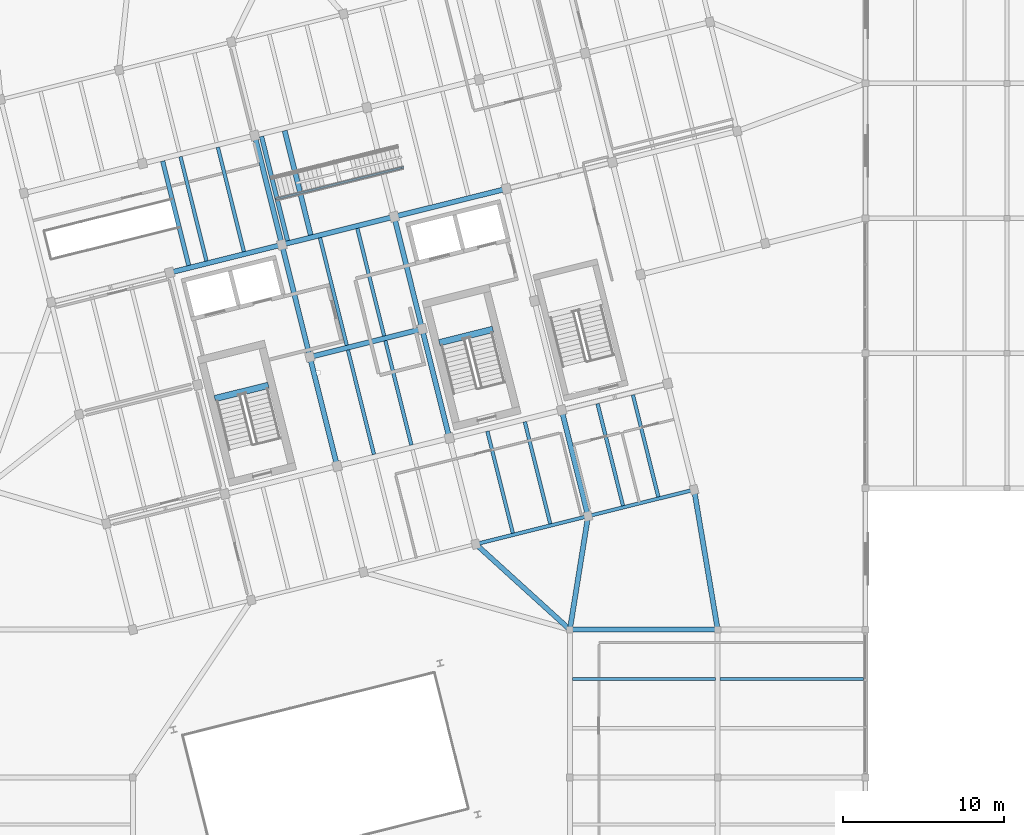
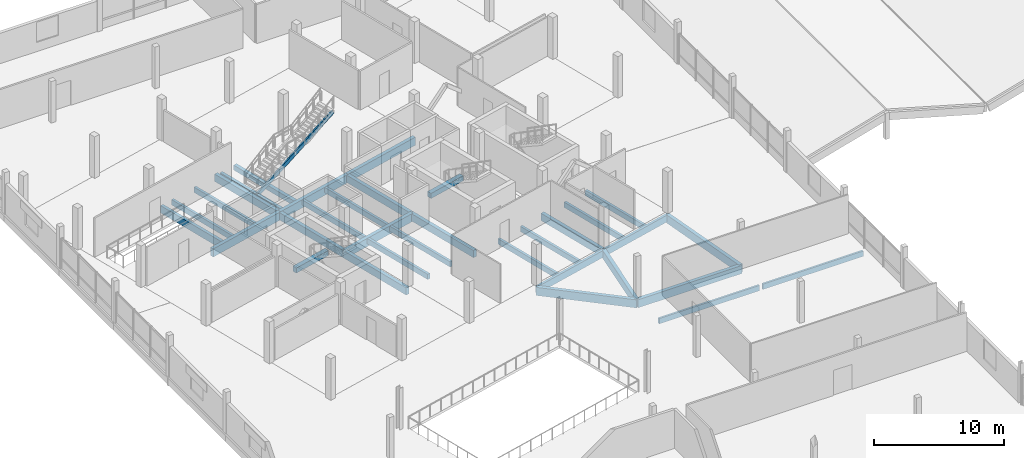
# One storey, part 22 of 47: 33 beams, 1 member.
"""IFC4 building model written with IfcOpenShell, lengths in metres."""

import ifcopenshell
import ifcopenshell.guid

model = None  # the IFC model being written
_history = None  # IfcOwnerHistory: only IFC2X3 demands one
_inside = {}  # id of a spatial element -> (the spatial element, [elements in it])
_under = {}  # id of a project, library or spatial element -> (it, [spatial elements below it])
_declared = {}  # id of a project -> (the project, [libraries it declares])
_typed = {}  # id of a type object -> (the type object, [elements of that type])
_made_of = {}  # id of a material, layer set ... -> (it, [elements and type objects made of it])


def new_model(schema):
    """Start an empty IFC model of exactly this schema.

    Asked for "IFC4X3", IfcOpenShell would pick the latest addendum, in which some entities
    have other attributes; the version numbers below select the first issue.
    IFC2X3 requires an IfcOwnerHistory on every rooted entity: one is made here for all.
    """
    global model, _history
    if schema == "IFC4X3":
        model = ifcopenshell.file(schema_version=(4, 3, 0, 0))
    else:
        model = ifcopenshell.file(schema=schema)
    _inside.clear()
    _under.clear()
    _declared.clear()
    _typed.clear()
    _made_of.clear()
    _history = None
    if model.schema == "IFC2X3":
        org = make("IfcOrganization", Name="unknown")
        user = make(
            "IfcPersonAndOrganization",
            ThePerson=make("IfcPerson", FamilyName="unknown"),
            TheOrganization=org,
        )
        app = make(
            "IfcApplication",
            ApplicationDeveloper=org,
            Version="unknown",
            ApplicationFullName="unknown",
            ApplicationIdentifier="unknown",
        )
        _history = make(
            "IfcOwnerHistory",
            OwningUser=user,
            OwningApplication=app,
            ChangeAction="ADDED",
            CreationDate=0,
        )
    return model


def make(cls, **values):
    """One entity of the class cls with the attributes given. An attribute that is None is left unset."""
    return model.create_entity(
        cls, **{name: value for name, value in values.items() if value is not None}
    )


def rooted(cls, **values):
    """An entity with a GlobalId (a new one), such as an element, a storey or a relation."""
    return make(cls, GlobalId=ifcopenshell.guid.new(), OwnerHistory=_history, **values)


def si_unit(unit_type, name, prefix=None):
    """IfcSIUnit, for example si_unit("LENGTHUNIT", "METRE", prefix="MILLI")."""
    return make("IfcSIUnit", UnitType=unit_type, Prefix=prefix, Name=name)


def assignment(units):
    """IfcUnitAssignment: the units of a project."""
    return None if units is None else make("IfcUnitAssignment", Units=units)


def point(xyz):
    """IfcCartesianPoint."""
    return None if xyz is None else make("IfcCartesianPoint", Coordinates=xyz)


def direction(xyz):
    """IfcDirection."""
    return None if xyz is None else make("IfcDirection", DirectionRatios=xyz)


def frame(location, z_axis=None, x_axis=None):
    """IfcAxis2Placement3D, a coordinate frame: its origin and axes. An axis left out is left unset."""
    return make(
        "IfcAxis2Placement3D",
        Location=point(location),
        Axis=direction(z_axis),
        RefDirection=direction(x_axis),
    )


def frame_2d(location, x_axis=None):
    """IfcAxis2Placement2D, a coordinate frame in the plane: its origin and x axis."""
    return make(
        "IfcAxis2Placement2D", Location=point(location), RefDirection=direction(x_axis)
    )


def origin():
    """The frame at (0, 0, 0) with its axes left unset."""
    return frame((0.0, 0.0, 0.0))


def origin_2d():
    """The frame at (0, 0) in the plane with its x axis left unset."""
    return frame_2d((0.0, 0.0))


def place(relative_to, where):
    """IfcLocalPlacement: puts the frame where relative to a parent placement (None: the world)."""
    return make(
        "IfcLocalPlacement", PlacementRelTo=relative_to, RelativePlacement=where
    )


def context(
    kind, dimensions, precision=None, world=None, true_north=None, identifier=None
):
    """IfcGeometricRepresentationContext, for example the 3D "Model" context."""
    return make(
        "IfcGeometricRepresentationContext",
        ContextIdentifier=identifier,
        ContextType=kind,
        CoordinateSpaceDimension=dimensions,
        Precision=precision,
        WorldCoordinateSystem=world,
        TrueNorth=true_north,
    )


def subcontext(parent, identifier, kind, view, scale=None):
    """IfcGeometricRepresentationSubContext, for example "Body" below "Model"."""
    return make(
        "IfcGeometricRepresentationSubContext",
        ContextIdentifier=identifier,
        ContextType=kind,
        ParentContext=parent,
        TargetScale=scale,
        TargetView=view,
    )


def project(units=None, contexts=None):
    """IfcProject with its units and contexts."""
    return rooted(
        "IfcProject",
        Name="project",
        RepresentationContexts=contexts,
        UnitsInContext=assignment(units),
    )


def spatial(cls, under=None, at=None, **own):
    """A site, building, storey or space (cls), placed at a placement, below another one or the project."""
    s = rooted(cls, ObjectPlacement=at, **own)
    if under is not None:
        _under.setdefault(under.id(), (under, []))[1].append(s)
    return s


def profile(cls, at=None, kind="AREA", **sizes):
    """A parametric profile (cls). Its sizes go by their IFC names, for example OverallWidth=200.0."""
    return make(cls, ProfileType=kind, Position=at, **sizes)


def rectangle(**sizes):
    """IfcRectangleProfileDef."""
    return profile("IfcRectangleProfileDef", **sizes)


def extrude(swept, where, along, depth):
    """IfcExtrudedAreaSolid: the profile swept, set in the frame where, extruded along a direction by depth."""
    return make(
        "IfcExtrudedAreaSolid",
        SweptArea=swept,
        Position=where,
        ExtrudedDirection=direction(along),
        Depth=depth,
    )


def shape(context_of_items, identifier, shape_type, items):
    """IfcShapeRepresentation: the items that make up one representation, for example the "Body"."""
    return make(
        "IfcShapeRepresentation",
        ContextOfItems=context_of_items,
        RepresentationIdentifier=identifier,
        RepresentationType=shape_type,
        Items=items,
    )


def material(Name=None, Category=None):
    """IfcMaterial."""
    return make("IfcMaterial", Name=Name, Category=Category)


def material_profile(
    of_material, cross_section, Name=None, Category=None, Priority=None
):
    """IfcMaterialProfile: a cross section and its material."""
    return make(
        "IfcMaterialProfile",
        Name=Name,
        Material=of_material,
        Profile=cross_section,
        Priority=Priority,
        Category=Category,
    )


def profile_set(profiles, Name=None, composite=None):
    """IfcMaterialProfileSet."""
    return make(
        "IfcMaterialProfileSet",
        Name=Name,
        MaterialProfiles=profiles,
        CompositeProfile=composite,
    )


def made_of(thing, what):
    """Note that an element or type object is made of a material, layer set ...; save() writes the relation."""
    if what is not None:
        _made_of.setdefault(what.id(), (what, []))[1].append(thing)
    return thing


def type_object(cls, material=None, **own):
    """A type object (cls), such as IfcWallType, which elements share."""
    return made_of(rooted(cls, **own), material)


def element(
    cls,
    number,
    at=None,
    inside=None,
    cuts=None,
    type_object=None,
    material=None,
    context=None,
    identifier="Body",
    shape_type=None,
    held_by="IfcProductDefinitionShape",
    body=None,
    shapes=None,
    **own,
):
    """One element of the class cls, such as IfcWall. Its Tag is "e" and its number.

    at: its placement. inside: the storey or other place that contains it. cuts: it is an
    opening in that element (IfcRelVoidsElement). A single representation is given by context,
    identifier, shape_type and body (its items); several are given by shapes. held_by: the class
    of the entity that holds the representations. save() writes the other relations.
    """
    e = rooted(cls, Tag="e%d" % number, ObjectPlacement=at, **own)
    if body is not None:
        shapes = [shape(context, identifier, shape_type, body)]
    if shapes is not None:
        e.Representation = make(held_by, Representations=shapes)
    if inside is not None:
        _inside.setdefault(inside.id(), (inside, []))[1].append(e)
    if cuts is not None:
        rooted(
            "IfcRelVoidsElement", RelatingBuildingElement=cuts, RelatedOpeningElement=e
        )
    if type_object is not None:
        _typed.setdefault(type_object.id(), (type_object, []))[1].append(e)
    return made_of(e, material)


def aggregate(whole, parts):
    """IfcRelAggregates: a whole, such as a stair, and the parts it consists of."""
    return rooted("IfcRelAggregates", RelatingObject=whole, RelatedObjects=parts)


def save(model, path):
    """Write the relations noted so far, then the file.

    IfcRelAggregates (storeys below a building ...), IfcRelContainedInSpatialStructure (elements
    in a storey), IfcRelDefinesByType, IfcRelAssociatesMaterial and IfcRelDeclares: one each for
    every whole, place, type object, material and project.
    """
    for whole, parts in _under.values():
        aggregate(whole, parts)
    for where, things in _inside.values():
        rooted(
            "IfcRelContainedInSpatialStructure",
            RelatedElements=things,
            RelatingStructure=where,
        )
    for kind, things in _typed.values():
        rooted("IfcRelDefinesByType", RelatedObjects=things, RelatingType=kind)
    for what, things in _made_of.values():
        rooted("IfcRelAssociatesMaterial", RelatedObjects=things, RelatingMaterial=what)
    for by, libraries in _declared.values():
        rooted("IfcRelDeclares", RelatingContext=by, RelatedDefinitions=libraries)
    model.write(path)


model = new_model("IFC4")

# Units and contexts
model_context = context("Model", 3, precision=1e-05, world=origin(), true_north=direction((0.0, 1.0)))
body_context = subcontext(model_context, "Body", "Model", "MODEL_VIEW")
ifc_project = project(units=[si_unit("LENGTHUNIT", "METRE"), si_unit("AREAUNIT", "SQUARE_METRE"), si_unit("VOLUMEUNIT", "CUBIC_METRE"), si_unit("PLANEANGLEUNIT", "RADIAN"), si_unit("MASSUNIT", "GRAM", prefix="KILO")], contexts=[model_context])

# Site, building, storey
site_placement = place(None, origin())
site = spatial("IfcSite", under=ifc_project, at=site_placement, CompositionType="ELEMENT")
building_placement = place(site_placement, origin())
building = spatial("IfcBuilding", under=site, at=building_placement, Name="Meriwether Solvik Hall", CompositionType="ELEMENT")
storey_placement = place(building_placement, frame((0.0, 0.0, 18.300048828125)))
storey = spatial("IfcBuildingStorey", under=building, at=storey_placement, Name="L04", CompositionType="ELEMENT", Elevation=18.300048828125)

# Beams
ifc_material_1 = material(Name="Glulam Douglas-Fir 24F-V8 GL28h", Category="wood")
ifc_material_profile_1 = material_profile(ifc_material_1, rectangle(XDim=0.221923828125, YDim=0.64501953125, at=origin_2d()), Name="GLB-222X645")
ifc_profile_set_1 = profile_set([ifc_material_profile_1], Name="Glulam Douglas-Fir 24F-V8 GL28h")
beam_type_1 = type_object("IfcBeamType", Name="BM-GL-222X645", PredefinedType="SPANDREL", material=ifc_profile_set_1)
beam_1_placement = place(storey_placement, frame((89.946533203125, 46.522216796875, -0.567626953125), z_axis=(0.970291911955, 0.241937193493, 0.0), x_axis=(-0.241937193493, 0.970291911955, 0.0)))
element("IfcBeam", 1, at=beam_1_placement, inside=storey, type_object=beam_type_1, Name="Tower Girder TA:T4-T5 (L04)", PredefinedType="SPANDREL", context=body_context, shape_type="SweptSolid", body=[
    extrude(rectangle(XDim=0.221923828125, YDim=0.64501953125, at=origin_2d()), origin(), (0.0, 0.0, 1.0), 7.199951171875),
])
beam_2_placement = place(storey_placement, frame((96.9326171875, 48.26416015625, -0.567626953125), z_axis=(0.970298579828, 0.24191045034, 0.0), x_axis=(-0.24191045034, 0.970298579828, 0.0)))
element("IfcBeam", 2, at=beam_2_placement, inside=storey, type_object=beam_type_1, Name="Tower Girder TA:T5-T6 (L04)", PredefinedType="SPANDREL", context=body_context, shape_type="SweptSolid", body=[
    extrude(rectangle(XDim=0.221923828125, YDim=0.64501953125, at=origin_2d()), origin(), (0.0, 0.0, 1.0), 6.800048828125),
])
ifc_material_2 = material(Name="Glulam Douglas-Fir 24F-V8 GL28h", Category="wood")
ifc_material_profile_2 = material_profile(ifc_material_2, rectangle(XDim=0.27294921875, YDim=0.68505859375, at=origin_2d()), Name="GLB-273X685")
ifc_profile_set_2 = profile_set([ifc_material_profile_2], Name="Glulam Douglas-Fir 24F-V8 GL28h")
beam_type_2 = type_object("IfcBeamType", Name="BM-GL-273X685", PredefinedType="BEAM", material=ifc_profile_set_2)
for number, where, z_axis, x_axis, name in (
    (3, (72.078857421875, 63.8701171875, -0.587646484375), (-0.241917328066, 0.970296865079, 0.0), (-0.970296865079, -0.241917328066, 0.0), "Stair ST-ED1 Top Trimmer Beam"),
    (4, (78.230712890625, 65.40380859375, -0.587646484375), (-0.241951685637, 0.9702882983, 0.0), (-0.9702882983, -0.241951685637, 0.0), "Stair ST-ED2 Bottom Trimmer Beam"),
):
    element("IfcBeam", number, at=place(storey_placement, frame(where, z_axis=z_axis, x_axis=x_axis)), inside=storey, type_object=beam_type_2, Name=name, PredefinedType="BEAM", context=body_context, shape_type="SweptSolid", body=[
        extrude(rectangle(XDim=0.27294921875, YDim=0.68505859375, at=origin_2d()), origin(), (0.0, 0.0, 1.0), 6.68994140625),
    ])
ifc_material_3 = material(Name="Glulam Douglas-Fir 24F-V8 GL28h", Category="wood")
ifc_material_profile_3 = material_profile(ifc_material_3, rectangle(XDim=0.31494140625, YDim=0.68505859375, at=origin_2d()), Name="GLB-315X685")
ifc_profile_set_3 = profile_set([ifc_material_profile_3], Name="Glulam Douglas-Fir 24F-V8 GL28h")
beam_type_3 = type_object("IfcBeamType", Name="BM-GL-315X685", PredefinedType="BEAM", material=ifc_profile_set_3)
beam_3_placement = place(storey_placement, frame((81.3154296875, 51.37841796875, -0.587646484375), z_axis=(-0.241944715397, 0.970290036376, 0.0), x_axis=(-0.970290036376, -0.241944715397, 0.0)))
element("IfcBeam", 5, at=beam_3_placement, inside=storey, type_object=beam_type_3, Name="Tower Girder T3:TB-TC (L04)", PredefinedType="BEAM", context=body_context, shape_type="SweptSolid", body=[
    extrude(rectangle(XDim=0.31494140625, YDim=0.68505859375, at=origin_2d()), origin(), (0.0, 0.0, 1.0), 7.0),
])
beam_4_placement = place(storey_placement, frame((79.621826171875, 58.17041015625, -0.587646484375), z_axis=(-0.241897310542, 0.970301855688, 0.0), x_axis=(-0.970301855688, -0.241897310542, 0.0)))
element("IfcBeam", 6, at=beam_4_placement, inside=storey, type_object=beam_type_3, Name="Tower Girder T3:TC-TD (L04)", PredefinedType="BEAM", context=body_context, shape_type="SweptSolid", body=[
    extrude(rectangle(XDim=0.31494140625, YDim=0.68505859375, at=origin_2d()), origin(), (0.0, 0.0, 1.0), 7.2001953125),
])
for number, where, z_axis, x_axis, name in (
    (7, (77.880126953125, 65.15673828125, -0.587646484375), (-0.241944715397, 0.970290036376, 0.0), (-0.970290036376, -0.241944715397, 0.0), "Tower Girder T3:TD-TE (L04)"),
    (8, (88.301513671875, 53.120361328125, -0.587646484375), (-0.241944715397, 0.970290036376, 0.0), (-0.970290036376, -0.241944715397, 0.0), "Tower Girder T4:TB-TC (L04)"),
):
    element("IfcBeam", number, at=place(storey_placement, frame(where, z_axis=z_axis, x_axis=x_axis)), inside=storey, type_object=beam_type_3, Name=name, PredefinedType="BEAM", context=body_context, shape_type="SweptSolid", body=[
        extrude(rectangle(XDim=0.31494140625, YDim=0.68505859375, at=origin_2d()), origin(), (0.0, 0.0, 1.0), 7.0),
    ])
beam_5_placement = place(storey_placement, frame((86.60791015625, 59.912353515625, -0.587646484375), z_axis=(-0.241905269381, 0.970299871507, 0.0), x_axis=(-0.970299871507, -0.241905269381, 0.0)))
element("IfcBeam", 9, at=beam_5_placement, inside=storey, type_object=beam_type_3, Name="Tower Girder T4:TC-TD (L04)", PredefinedType="BEAM", context=body_context, shape_type="SweptSolid", body=[
    extrude(rectangle(XDim=0.31494140625, YDim=0.68505859375, at=origin_2d()), origin(), (0.0, 0.0, 1.0), 7.199951171875),
])
beam_6_placement = place(storey_placement, frame((96.9326171875, 48.26416015625, -0.587646484375), z_axis=(-0.241918877831, 0.970296478685, 0.0), x_axis=(-0.970296478685, -0.241918877831, 0.0)))
element("IfcBeam", 10, at=beam_6_placement, inside=storey, type_object=beam_type_3, Name="Tower Girder T5:TA-TB (L04)", PredefinedType="BEAM", context=body_context, shape_type="SweptSolid", body=[
    extrude(rectangle(XDim=0.31494140625, YDim=0.68505859375, at=origin_2d()), origin(), (0.0, 0.0, 1.0), 6.7998046875),
])
ifc_material_4 = material(Name="Glulam Douglas-Fir 24F-V8 GL28h", Category="wood")
ifc_material_profile_4 = material_profile(ifc_material_4, rectangle(XDim=0.31494140625, YDim=0.760009765625, at=origin_2d()), Name="GLB-315X760")
ifc_profile_set_4 = profile_set([ifc_material_profile_4], Name="Glulam Douglas-Fir 24F-V8 GL28h")
beam_type_4 = type_object("IfcBeamType", Name="BM-GL-315X760", PredefinedType="BEAM", material=ifc_profile_set_4)
beam_7_placement = place(storey_placement, frame((95.800048828125, 41.199951171875, -0.625), z_axis=(1.0, 0.0, 0.0), x_axis=(0.0, 1.0, 0.0)))
element("IfcBeam", 11, at=beam_7_placement, inside=storey, type_object=beam_type_4, Name="Podium Girder E:11-12 (L04)", PredefinedType="BEAM", context=body_context, shape_type="SweptSolid", body=[
    extrude(rectangle(XDim=0.31494140625, YDim=0.760009765625, at=origin_2d()), origin(), (0.0, 0.0, 1.0), 9.199951171875),
])
beam_8_placement = place(storey_placement, frame((89.946533203125, 46.522216796875, -0.625), z_axis=(0.739884216785, -0.672734231144, 0.0), x_axis=(0.672734231144, 0.739884216785, 0.0)))
element("IfcBeam", 12, at=beam_8_placement, inside=storey, type_object=beam_type_4, Name="Diaphragm Collector Girder T4/TA-11/E (L04)", PredefinedType="BEAM", context=body_context, shape_type="SweptSolid", body=[
    extrude(rectangle(XDim=0.31494140625, YDim=0.760009765625, at=origin_2d()), origin(), (0.0, 0.0, 1.0), 7.911376953125),
])
beam_9_placement = place(storey_placement, frame((96.9326171875, 48.26416015625, -0.625), z_axis=(-0.158303256143, -0.98739054031, 0.0), x_axis=(0.98739054031, -0.158303256143, 0.0)))
element("IfcBeam", 13, at=beam_9_placement, inside=storey, type_object=beam_type_4, Name="Diaphragm Collector Girder T5/TA-11/E (L04)", PredefinedType="BEAM", context=body_context, shape_type="SweptSolid", body=[
    extrude(rectangle(XDim=0.31494140625, YDim=0.760009765625, at=origin_2d()), origin(), (0.0, 0.0, 1.0), 7.154541015625),
])
beam_10_placement = place(storey_placement, frame((103.53076171875, 49.9091796875, -0.625), z_axis=(0.166348535765, -0.986067018335, 0.0), x_axis=(0.986067018335, 0.166348535765, 0.0)))
element("IfcBeam", 14, at=beam_10_placement, inside=storey, type_object=beam_type_4, Name="Diaphragm Collector Girder T6/TA-12/E (L04)", PredefinedType="BEAM", context=body_context, shape_type="SweptSolid", body=[
    extrude(rectangle(XDim=0.31494140625, YDim=0.760009765625, at=origin_2d()), origin(), (0.0, 0.0, 1.0), 8.832275390625),
])
beam_11_placement = place(storey_placement, frame((79.621826171875, 58.17041015625, -0.625), z_axis=(0.970291911955, 0.241937193493, 0.0), x_axis=(-0.241937193493, 0.970291911955, 0.0)))
element("IfcBeam", 15, at=beam_11_placement, inside=storey, type_object=beam_type_4, Name="Tower Girder TC:T3-T4 (L04)", PredefinedType="BEAM", context=body_context, shape_type="SweptSolid", body=[
    extrude(rectangle(XDim=0.31494140625, YDim=0.760009765625, at=origin_2d()), origin(), (0.0, 0.0, 1.0), 7.199951171875),
])
beam_12_placement = place(storey_placement, frame((70.893798828125, 63.414794921875, -0.625), z_axis=(0.970293896644, 0.241929233735, 0.0), x_axis=(-0.241929233735, 0.970293896644, 0.0)))
element("IfcBeam", 16, at=beam_12_placement, inside=storey, type_object=beam_type_4, Name="Tower Girder TD:T2-T3 (L04)", PredefinedType="BEAM", context=body_context, shape_type="SweptSolid", body=[
    extrude(rectangle(XDim=0.31494140625, YDim=0.760009765625, at=origin_2d()), origin(), (0.0, 0.0, 1.0), 7.2001953125),
])
for number, where, z_axis, x_axis, name in (
    (17, (77.880126953125, 65.15673828125, -0.625), (0.970299871507, 0.241905269381, 0.0), (-0.241905269381, 0.970299871507, 0.0), "Tower Girder TD:T3-T4 (L04)"),
    (18, (84.8662109375, 66.8984375, -0.625), (0.970291911955, 0.241937193493, 0.0), (-0.241937193493, 0.970291911955, 0.0), "Tower Girder TD:T4-T5 (L04)"),
):
    element("IfcBeam", number, at=place(storey_placement, frame(where, z_axis=z_axis, x_axis=x_axis)), inside=storey, type_object=beam_type_4, Name=name, PredefinedType="BEAM", context=body_context, shape_type="SweptSolid", body=[
        extrude(rectangle(XDim=0.31494140625, YDim=0.760009765625, at=origin_2d()), origin(), (0.0, 0.0, 1.0), 7.199951171875),
    ])
ifc_material_5 = material(Name="Glulam Douglas-Fir 24F-V8 GL28h", Category="wood")
ifc_material_profile_5 = material_profile(ifc_material_5, rectangle(XDim=0.31494140625, YDim=0.455078125, at=origin_2d()), Name="GLB-315X455")
ifc_profile_set_5 = profile_set([ifc_material_profile_5], Name="Glulam Douglas-Fir 24F-V8 GL28h")
beam_type_5 = type_object("IfcBeamType", Name="BM-LND-GL-315X455", PredefinedType="BEAM", material=ifc_profile_set_5)
beam_13_placement = place(storey_placement, frame((79.669677734375, 65.7626953125, -0.47265625), z_axis=(-0.241917328066, 0.970296865079, 0.0), x_axis=(-0.970296865079, -0.241917328066, 0.0)))
element("IfcBeam", 19, at=beam_13_placement, inside=storey, type_object=beam_type_5, Name="Stair ST-ED2 Spine Trimmer Beam", PredefinedType="BEAM", context=body_context, shape_type="SweptSolid", body=[
    extrude(rectangle(XDim=0.31494140625, YDim=0.455078125, at=origin_2d()), origin(), (0.0, 0.0, 1.0), 6.68994140625),
])
ifc_material_6 = material(Name="Concrete C40/50", Category="concrete")
ifc_material_profile_6 = material_profile(ifc_material_6, rectangle(XDim=0.39990234375, YDim=0.47998046875, at=origin_2d()), Name="RCB-400X480")
ifc_profile_set_6 = profile_set([ifc_material_profile_6], Name="Concrete C40/50")
beam_type_6 = type_object("IfcBeamType", Name="BM-LND-RC-400X480", PredefinedType="BEAM", material=ifc_profile_set_6)
beam_14_placement = place(storey_placement, frame((73.70361328125, 55.57666015625, 1.510009765625), z_axis=(0.970288447449, 0.24195108751, 0.0), x_axis=(-0.24195108751, 0.970288447449, 0.0)))
element("IfcBeam", 20, at=beam_14_placement, inside=storey, type_object=beam_type_6, Name="Stair ST-01 Half-Landing Header Beam (L04)", PredefinedType="BEAM", context=body_context, shape_type="SweptSolid", body=[
    extrude(rectangle(XDim=0.39990234375, YDim=0.47998046875, at=origin_2d()), origin(), (0.0, 0.0, 1.0), 3.43994140625),
])
beam_15_placement = place(storey_placement, frame((87.67578125, 59.060302734375, 1.510009765625), z_axis=(0.970292601873, 0.24193442655, 0.0), x_axis=(-0.24193442655, 0.970292601873, 0.0)))
element("IfcBeam", 21, at=beam_15_placement, inside=storey, type_object=beam_type_6, Name="Stair ST-02 Half-Landing Header Beam (L04)", PredefinedType="BEAM", context=body_context, shape_type="SweptSolid", body=[
    extrude(rectangle(XDim=0.39990234375, YDim=0.47998046875, at=origin_2d()), origin(), (0.0, 0.0, 1.0), 3.440185546875),
])
ifc_material_7 = material(Name="Glulam Douglas-Fir 24F-V8 GL28h", Category="wood")
ifc_material_profile_7 = material_profile(ifc_material_7, rectangle(XDim=0.175048828125, YDim=0.4951171875, at=origin_2d()), Name="GLJ-175X495")
ifc_profile_set_7 = profile_set([ifc_material_profile_7], Name="Glulam Douglas-Fir 24F-V8 GL28h")
beam_type_7 = type_object("IfcBeamType", Name="JST-GL-175X495", PredefinedType="JOIST", material=ifc_profile_set_7)
beam_16_placement = place(storey_placement, frame((95.952392578125, 38.13330078125, -0.492431640625), z_axis=(1.0, 0.0, 0.0), x_axis=(0.0, 1.0, 0.0)))
element("IfcBeam", 22, at=beam_16_placement, inside=storey, type_object=beam_type_7, Name="Secondary Floor Joist 11/D_J2 (L04)", PredefinedType="JOIST", context=body_context, shape_type="SweptSolid", body=[
    extrude(rectangle(XDim=0.175048828125, YDim=0.4951171875, at=origin_2d()), origin(), (0.0, 0.0, 1.0), 8.89501953125),
])
beam_17_placement = place(storey_placement, frame((105.152587890625, 38.13330078125, -0.492431640625), z_axis=(1.0, 0.0, 0.0), x_axis=(0.0, 1.0, 0.0)))
element("IfcBeam", 23, at=beam_17_placement, inside=storey, type_object=beam_type_7, Name="Secondary Floor Joist 12/D_J2 (L04)", PredefinedType="JOIST", context=body_context, shape_type="SweptSolid", body=[
    extrude(rectangle(XDim=0.175048828125, YDim=0.4951171875, at=origin_2d()), origin(), (0.0, 0.0, 1.0), 8.916015625),
])
ifc_material_8 = material(Name="Glulam Douglas-Fir 24F-V8 GL28h", Category="wood")
ifc_material_profile_8 = material_profile(ifc_material_8, rectangle(XDim=0.221923828125, YDim=0.4951171875, at=origin_2d()), Name="GLJ-222X495")
ifc_profile_set_8 = profile_set([ifc_material_profile_8], Name="Glulam Douglas-Fir 24F-V8 GL28h")
beam_type_8 = type_object("IfcBeamType", Name="JST-GL-222X495", PredefinedType="JOIST", material=ifc_profile_set_8)
beam_18_placement = place(storey_placement, frame((73.185791015625, 64.143310546875, -0.492431640625), z_axis=(-0.241943564064, 0.970290323464, 0.0), x_axis=(-0.970290323464, -0.241943564064, 0.0)))
element("IfcBeam", 24, at=beam_18_placement, inside=storey, type_object=beam_type_8, Name="Glulam Floor Joist T2/TD-J1 (L04)", PredefinedType="JOIST", context=body_context, shape_type="SweptSolid", body=[
    extrude(rectangle(XDim=0.221923828125, YDim=0.4951171875, at=origin_2d()), origin(), (0.0, 0.0, 1.0), 6.6953125),
])
beam_19_placement = place(storey_placement, frame((75.514404296875, 64.72412109375, -0.492431640625), z_axis=(-0.241917792922, 0.970296749179, 0.0), x_axis=(-0.970296749179, -0.241917792922, 0.0)))
element("IfcBeam", 25, at=beam_19_placement, inside=storey, type_object=beam_type_8, Name="Glulam Floor Joist T2/TD-J2 (L04)", PredefinedType="JOIST", context=body_context, shape_type="SweptSolid", body=[
    extrude(rectangle(XDim=0.221923828125, YDim=0.4951171875, at=origin_2d()), origin(), (0.0, 0.0, 1.0), 6.695068359375),
])
beam_20_placement = place(storey_placement, frame((83.607177734375, 52.10693359375, -0.492431640625), z_axis=(-0.241909233393, 0.970298883231, 0.0), x_axis=(-0.970298883231, -0.241909233393, 0.0)))
element("IfcBeam", 26, at=beam_20_placement, inside=storey, type_object=beam_type_8, Name="Glulam Floor Joist T3/TB-J1 (L04)", PredefinedType="JOIST", context=body_context, shape_type="SweptSolid", body=[
    extrude(rectangle(XDim=0.221923828125, YDim=0.4951171875, at=origin_2d()), origin(), (0.0, 0.0, 1.0), 6.6953125),
])
beam_21_placement = place(storey_placement, frame((85.935791015625, 52.687744140625, -0.492431640625), z_axis=(-0.241917792922, 0.970296749179, 0.0), x_axis=(-0.970296749179, -0.241917792922, 0.0)))
element("IfcBeam", 27, at=beam_21_placement, inside=storey, type_object=beam_type_8, Name="Glulam Floor Joist T3/TB-J2 (L04)", PredefinedType="JOIST", context=body_context, shape_type="SweptSolid", body=[
    extrude(rectangle(XDim=0.221923828125, YDim=0.4951171875, at=origin_2d()), origin(), (0.0, 0.0, 1.0), 6.695068359375),
])
for number, where, z_axis, x_axis, name in (
    (28, (81.91357421875, 58.899169921875, -0.492431640625), (-0.241910719241, 0.970298512787, 0.0), (-0.970298512787, -0.241910719241, 0.0), "Glulam Floor Joist T3/TC-J1 (L04)"),
    (29, (84.242431640625, 59.479736328125, -0.492431640625), (-0.241944055158, 0.970290201009, 0.0), (-0.970290201009, -0.241944055158, 0.0), "Glulam Floor Joist T3/TC-J2 (L04)"),
):
    element("IfcBeam", number, at=place(storey_placement, frame(where, z_axis=z_axis, x_axis=x_axis)), inside=storey, type_object=beam_type_8, Name=name, PredefinedType="JOIST", context=body_context, shape_type="SweptSolid", body=[
        extrude(rectangle(XDim=0.221923828125, YDim=0.4951171875, at=origin_2d()), origin(), (0.0, 0.0, 1.0), 6.89501953125),
    ])
for number, where, z_axis, x_axis, name in (
    (30, (92.24951171875, 47.205810546875, -0.492431640625), (-0.241920861923, 0.970295984, 0.0), (-0.970295984, -0.241920861923, 0.0), "Glulam Floor Joist T4/TA-J1 (L04)"),
    (31, (94.578369140625, 47.786376953125, -0.492431640625), (-0.241920861923, 0.970295984, 0.0), (-0.970295984, -0.241920861923, 0.0), "Glulam Floor Joist T4/TA-J2 (L04)"),
    (32, (99.1064453125, 48.915283203125, -0.492431640625), (-0.241920861923, 0.970295984, 0.0), (-0.970295984, -0.241920861923, 0.0), "Glulam Floor Joist T5/TA-J1 (L04)"),
    (33, (101.3056640625, 49.463623046875, -0.492431640625), (-0.241920861923, 0.970295984, 0.0), (-0.970295984, -0.241920861923, 0.0), "Glulam Floor Joist T5/TA-J2 (L04)"),
):
    element("IfcBeam", number, at=place(storey_placement, frame(where, z_axis=z_axis, x_axis=x_axis)), inside=storey, type_object=beam_type_8, Name=name, PredefinedType="JOIST", context=body_context, shape_type="SweptSolid", body=[
        extrude(rectangle(XDim=0.221923828125, YDim=0.4951171875, at=origin_2d()), origin(), (0.0, 0.0, 1.0), 6.54150390625),
    ])

# Member
ifc_material_9 = material(Name="Glulam Douglas-Fir 24F-V8 GL28h", Category="wood")
ifc_material_profile_9 = material_profile(ifc_material_9, rectangle(XDim=0.1298828125, YDim=0.3798828125, at=origin_2d()), Name="GLM-130X380")
ifc_profile_set_9 = profile_set([ifc_material_profile_9], Name="Glulam Douglas-Fir 24F-V8 GL28h")
member_type = type_object("IfcMemberType", Name="MEM-STR-GL130", PredefinedType="STRINGER", material=ifc_profile_set_9)
member_placement = place(storey_placement, frame((77.579833984375, 68.013916015625, -0.364990234375), z_axis=(0.873422821661, 0.217776295589, 0.435552591178), x_axis=(-0.241929768887, 0.970293763211, 0.0)))
element("IfcMember", 34, at=member_placement, inside=storey, type_object=member_type, Name="Stair ST-ED2 Glulam Stringer L", PredefinedType="STRINGER", context=body_context, shape_type="SweptSolid", body=[
    extrude(rectangle(XDim=0.1298828125, YDim=0.3798828125, at=origin_2d()), origin(), (0.0, 0.0, 1.0), 8.953857421875),
])

save(model, "model.ifc")
